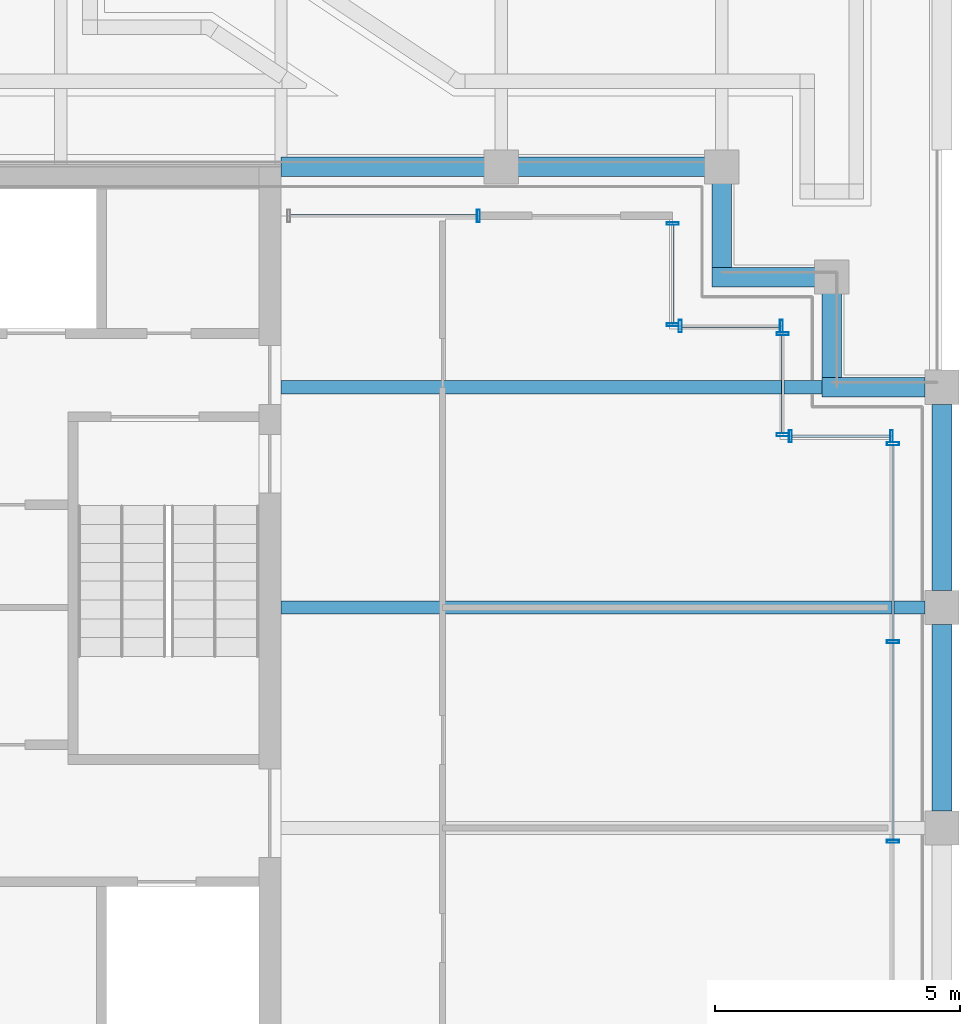
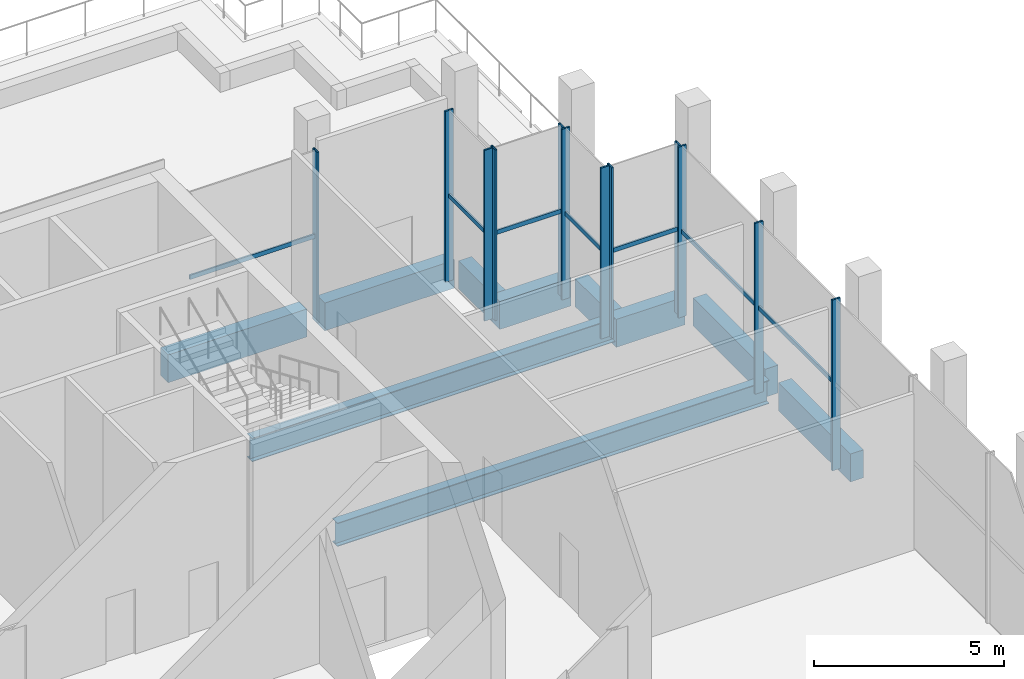
# One storey, part 9 of 15: 19 members, 10 beams, 6 elements without a shape of their own.
"""IFC4 building model written with IfcOpenShell, lengths in metres."""

from ifc_helpers import new_model, si_unit, direction, frame, origin, origin_2d, place, context, subcontext, project, spatial, rectangle, hollow_rectangle, i_section, extrude, material, material_profile, profile_set, type_object, element, aggregate, save


model = new_model("IFC4")

# Units and contexts
model_context = context("Model", 3, precision=1e-05, world=origin(), true_north=direction((0.0, 1.0)))
body_context = subcontext(model_context, "Body", "Model", "MODEL_VIEW")
ifc_project = project(units=[si_unit("LENGTHUNIT", "METRE"), si_unit("AREAUNIT", "SQUARE_METRE"), si_unit("VOLUMEUNIT", "CUBIC_METRE"), si_unit("PLANEANGLEUNIT", "RADIAN"), si_unit("MASSUNIT", "GRAM", prefix="KILO")], contexts=[model_context])

# Site, building, storey
site_placement = place(None, origin())
site = spatial("IfcSite", under=ifc_project, at=site_placement, CompositionType="ELEMENT")
building_placement = place(site_placement, origin())
building = spatial("IfcBuilding", under=site, at=building_placement, Name="Altepetl Exchange Towers", CompositionType="ELEMENT")
storey_placement = place(building_placement, frame((0.0, 0.0, 263.60009765625)))
storey = spatial("IfcBuildingStorey", under=building, at=storey_placement, Name="L67 Observation deck", CompositionType="ELEMENT", Elevation=263.60009765625)

# Beams
ifc_material_1 = material(Name="Steel S355", Category="steel")
ifc_material_profile_1 = material_profile(ifc_material_1, i_section(OverallWidth=0.26611328125, OverallDepth=0.758056640625, WebThickness=0.013916015625, FlangeThickness=0.019287109375, at=origin_2d()), Name="W30X108")
ifc_profile_set_1 = profile_set([ifc_material_profile_1], Name="Steel S355")
beam_type_1 = type_object("IfcBeamType", Name="Floor beam W30X108", PredefinedType="BEAM", material=ifc_profile_set_1)
beam_1_placement = place(storey_placement, frame((58.5, 49.5, -0.55419921875), z_axis=(1.0, 0.0, 0.0), x_axis=(0.0, 1.0, 0.0)))
element("IfcBeam", 1, at=beam_1_placement, inside=storey, type_object=beam_type_1, Name="bm:A:L67:004", PredefinedType="BEAM", context=body_context, shape_type="SweptSolid", body=[
    extrude(i_section(OverallWidth=0.26611328125, OverallDepth=0.758056640625, WebThickness=0.013916015625, FlangeThickness=0.019287109375, at=origin_2d()), origin(), (0.0, 0.0, 1.0), 13.14990234375),
])
beam_2_placement = place(storey_placement, frame((58.5, 54.0, -0.55419921875), z_axis=(1.0, 0.0, 0.0), x_axis=(0.0, 1.0, 0.0)))
element("IfcBeam", 2, at=beam_2_placement, inside=storey, type_object=beam_type_1, Name="bm:A:L67:005", PredefinedType="BEAM", context=body_context, shape_type="SweptSolid", body=[
    extrude(i_section(OverallWidth=0.26611328125, OverallDepth=0.758056640625, WebThickness=0.013916015625, FlangeThickness=0.019287109375, at=origin_2d()), origin(), (0.0, 0.0, 1.0), 11.050048828125),
])

# Curtain wall, members
ifc_material_2 = material(Name="Aluminium 6063-T6 glazing", Category="aluminium")
curtain_wall_type = type_object("IfcCurtainWallType", Name="Executive flush glazing system", PredefinedType="NOTDEFINED", material=ifc_material_2)
curtain_wall_1_placement = place(storey_placement, origin())
curtain_wall_1 = element("IfcCurtainWall", 3, at=curtain_wall_1_placement, inside=storey, type_object=curtain_wall_type, Name="CW4 run", PredefinedType="NOTDEFINED")
ifc_material_3 = material(Name="Aluminium 6063-T6", Category="aluminium")
ifc_material_profile_2 = material_profile(ifc_material_3, hollow_rectangle(XDim=0.06005859375, YDim=0.25, WallThickness=0.0029296875, at=origin_2d()), Name="Mullion 60x250 hollow aluminium")
ifc_profile_set_2 = profile_set([ifc_material_profile_2], Name="Aluminium 6063-T6")
member_type_1 = type_object("IfcMemberType", Name="Mullion 60x250 hollow aluminium", PredefinedType="MULLION", material=ifc_profile_set_2)
member_1_placement = place(storey_placement, frame((71.0, 44.72509765625, 0.0), z_axis=(0.0, 0.0, 1.0), x_axis=(0.0, 1.0, 0.0)))
member_1 = element("IfcMember", 4, at=member_1_placement, type_object=member_type_1, Name="MU3 mullion", PredefinedType="MULLION", context=body_context, shape_type="SweptSolid", body=[
    extrude(hollow_rectangle(XDim=0.06005859375, YDim=0.25, WallThickness=0.0029296875, at=origin_2d()), origin(), (0.0, 0.0, 1.0), 5.5),
])
member_2_placement = place(storey_placement, frame((71.0, 48.800048828125, 0.0), z_axis=(0.0, 0.0, 1.0), x_axis=(0.0, 1.0, 0.0)))
member_2 = element("IfcMember", 5, at=member_2_placement, type_object=member_type_1, Name="MU3 mullion", PredefinedType="MULLION", context=body_context, shape_type="SweptSolid", body=[
    extrude(hollow_rectangle(XDim=0.06005859375, YDim=0.25, WallThickness=0.0029296875, at=origin_2d()), origin(), (0.0, 0.0, 1.0), 5.5),
])
member_3_placement = place(storey_placement, frame((71.0, 52.844970703125, 0.0), z_axis=(0.0, 0.0, 1.0), x_axis=(0.0, 1.0, 0.0)))
member_3 = element("IfcMember", 6, at=member_3_placement, type_object=member_type_1, Name="MU3 mullion", PredefinedType="MULLION", context=body_context, shape_type="SweptSolid", body=[
    extrude(hollow_rectangle(XDim=0.06005859375, YDim=0.25, WallThickness=0.0029296875, at=origin_2d()), origin(), (0.0, 0.0, 1.0), 5.5),
])

curtain_wall_2_placement = place(storey_placement, origin())
curtain_wall_2 = element("IfcCurtainWall", 7, at=curtain_wall_2_placement, inside=storey, type_object=curtain_wall_type, Name="CW4 run", PredefinedType="NOTDEFINED")
member_4_placement = place(storey_placement, frame((70.969970703125, 53.0, 0.0), z_axis=(0.0, 0.0, 1.0), x_axis=(-1.0, 0.0, 0.0)))
member_4 = element("IfcMember", 8, at=member_4_placement, type_object=member_type_1, Name="MU3 mullion", PredefinedType="MULLION", context=body_context, shape_type="SweptSolid", body=[
    extrude(hollow_rectangle(XDim=0.06005859375, YDim=0.25, WallThickness=0.0029296875, at=origin_2d()), origin(), (0.0, 0.0, 1.0), 5.5),
])
member_5_placement = place(storey_placement, frame((68.905029296875, 53.0, 0.0), z_axis=(0.0, 0.0, 1.0), x_axis=(-1.0, 0.0, 0.0)))
member_5 = element("IfcMember", 9, at=member_5_placement, type_object=member_type_1, Name="MU3 mullion", PredefinedType="MULLION", context=body_context, shape_type="SweptSolid", body=[
    extrude(hollow_rectangle(XDim=0.06005859375, YDim=0.25, WallThickness=0.0029296875, at=origin_2d()), origin(), (0.0, 0.0, 1.0), 5.5),
])

curtain_wall_3_placement = place(storey_placement, origin())
curtain_wall_3 = element("IfcCurtainWall", 10, at=curtain_wall_3_placement, inside=storey, type_object=curtain_wall_type, Name="CW4 run", PredefinedType="NOTDEFINED")
member_6_placement = place(storey_placement, frame((68.75, 53.030029296875, 0.0), z_axis=(0.0, 0.0, 1.0), x_axis=(0.0, 1.0, 0.0)))
member_6 = element("IfcMember", 11, at=member_6_placement, type_object=member_type_1, Name="MU3 mullion", PredefinedType="MULLION", context=body_context, shape_type="SweptSolid", body=[
    extrude(hollow_rectangle(XDim=0.06005859375, YDim=0.25, WallThickness=0.0029296875, at=origin_2d()), origin(), (0.0, 0.0, 1.0), 5.5),
])
member_7_placement = place(storey_placement, frame((68.75, 55.094970703125, 0.0), z_axis=(0.0, 0.0, 1.0), x_axis=(0.0, 1.0, 0.0)))
member_7 = element("IfcMember", 12, at=member_7_placement, type_object=member_type_1, Name="MU3 mullion", PredefinedType="MULLION", context=body_context, shape_type="SweptSolid", body=[
    extrude(hollow_rectangle(XDim=0.06005859375, YDim=0.25, WallThickness=0.0029296875, at=origin_2d()), origin(), (0.0, 0.0, 1.0), 5.5),
])

curtain_wall_4_placement = place(storey_placement, origin())
curtain_wall_4 = element("IfcCurtainWall", 13, at=curtain_wall_4_placement, inside=storey, type_object=curtain_wall_type, Name="CW4 run", PredefinedType="NOTDEFINED")
member_8_placement = place(storey_placement, frame((68.719970703125, 55.25, 0.0), z_axis=(0.0, 0.0, 1.0), x_axis=(-1.0, 0.0, 0.0)))
member_8 = element("IfcMember", 14, at=member_8_placement, type_object=member_type_1, Name="MU3 mullion", PredefinedType="MULLION", context=body_context, shape_type="SweptSolid", body=[
    extrude(hollow_rectangle(XDim=0.06005859375, YDim=0.25, WallThickness=0.0029296875, at=origin_2d()), origin(), (0.0, 0.0, 1.0), 5.5),
])
member_9_placement = place(storey_placement, frame((66.655029296875, 55.25, 0.0), z_axis=(0.0, 0.0, 1.0), x_axis=(-1.0, 0.0, 0.0)))
member_9 = element("IfcMember", 15, at=member_9_placement, type_object=member_type_1, Name="MU3 mullion", PredefinedType="MULLION", context=body_context, shape_type="SweptSolid", body=[
    extrude(hollow_rectangle(XDim=0.06005859375, YDim=0.25, WallThickness=0.0029296875, at=origin_2d()), origin(), (0.0, 0.0, 1.0), 5.5),
])

curtain_wall_5_placement = place(storey_placement, origin())
curtain_wall_5 = element("IfcCurtainWall", 16, at=curtain_wall_5_placement, inside=storey, type_object=curtain_wall_type, Name="CW4 run", PredefinedType="NOTDEFINED")
member_10_placement = place(storey_placement, frame((66.5, 55.280029296875, 0.0), z_axis=(0.0, 0.0, 1.0), x_axis=(0.0, 1.0, 0.0)))
member_10 = element("IfcMember", 17, at=member_10_placement, type_object=member_type_1, Name="MU3 mullion", PredefinedType="MULLION", context=body_context, shape_type="SweptSolid", body=[
    extrude(hollow_rectangle(XDim=0.06005859375, YDim=0.25, WallThickness=0.0029296875, at=origin_2d()), origin(), (0.0, 0.0, 1.0), 5.5),
])
member_11_placement = place(storey_placement, frame((66.5, 57.344970703125, 0.0), z_axis=(0.0, 0.0, 1.0), x_axis=(0.0, 1.0, 0.0)))
member_11 = element("IfcMember", 18, at=member_11_placement, type_object=member_type_1, Name="MU3 mullion", PredefinedType="MULLION", context=body_context, shape_type="SweptSolid", body=[
    extrude(hollow_rectangle(XDim=0.06005859375, YDim=0.25, WallThickness=0.0029296875, at=origin_2d()), origin(), (0.0, 0.0, 1.0), 5.5),
])

# Curtain wall, member
curtain_wall_6_placement = place(storey_placement, origin())
curtain_wall_6 = element("IfcCurtainWall", 19, at=curtain_wall_6_placement, inside=storey, type_object=curtain_wall_type, Name="CW4 run", PredefinedType="NOTDEFINED")
member_12_placement = place(storey_placement, frame((62.532470703125, 57.5, 0.0), z_axis=(0.0, 0.0, 1.0), x_axis=(-1.0, 0.0, 0.0)))
member_12 = element("IfcMember", 20, at=member_12_placement, type_object=member_type_1, Name="MU3 mullion", PredefinedType="MULLION", context=body_context, shape_type="SweptSolid", body=[
    extrude(hollow_rectangle(XDim=0.06005859375, YDim=0.25, WallThickness=0.0029296875, at=origin_2d()), origin(), (0.0, 0.0, 1.0), 5.5),
])

# Beams
ifc_material_4 = material(Name="Concrete C50/60 precast with cantera amarilla facing", Category="concrete")
ifc_material_profile_3 = material_profile(ifc_material_4, rectangle(XDim=0.39990234375, YDim=0.89990234375, at=origin_2d()), Name="400 x 900")
ifc_profile_set_3 = profile_set([ifc_material_profile_3], Name="Concrete C50/60 precast with cantera amarilla facing")
beam_type_2 = type_object("IfcBeamType", Name="Spandrel beam 400x900 cantera amarilla", PredefinedType="SPANDREL", material=ifc_profile_set_3)
for number, where, z_axis, x_axis, name in (
    (21, (72.0, 45.35009765625, -0.625), (0.0, 1.0, 0.0), (-1.0, 0.0, 0.0), "sp:A:L67:015"),
    (22, (72.0, 49.85009765625, -0.625), (0.0, 1.0, 0.0), (-1.0, 0.0, 0.0), "sp:A:L67:016"),
):
    element("IfcBeam", number, at=place(storey_placement, frame(where, z_axis=z_axis, x_axis=x_axis)), inside=storey, type_object=beam_type_2, Name=name, PredefinedType="SPANDREL", context=body_context, shape_type="SweptSolid", body=[
        extrude(rectangle(XDim=0.39990234375, YDim=0.89990234375, at=origin_2d()), origin(), (0.0, 0.0, 1.0), 3.7998046875),
    ])
beam_3_placement = place(storey_placement, frame((71.64990234375, 54.0, -0.625), z_axis=(-1.0, 0.0, 0.0), x_axis=(0.0, -1.0, 0.0)))
element("IfcBeam", 23, at=beam_3_placement, inside=storey, type_object=beam_type_2, Name="sp:A:L67:017", PredefinedType="SPANDREL", context=body_context, shape_type="SweptSolid", body=[
    extrude(rectangle(XDim=0.39990234375, YDim=0.89990234375, at=origin_2d()), origin(), (0.0, 0.0, 1.0), 2.099853515625),
])
beam_4_placement = place(storey_placement, frame((69.75, 54.199951171875, -0.625), z_axis=(0.0, 1.0, 0.0), x_axis=(-1.0, 0.0, 0.0)))
element("IfcBeam", 24, at=beam_4_placement, inside=storey, type_object=beam_type_2, Name="sp:A:L67:018", PredefinedType="SPANDREL", context=body_context, shape_type="SweptSolid", body=[
    extrude(rectangle(XDim=0.39990234375, YDim=0.89990234375, at=origin_2d()), origin(), (0.0, 0.0, 1.0), 1.775146484375),
])
beam_5_placement = place(storey_placement, frame((69.47509765625, 56.25, -0.625), z_axis=(-1.0, 0.0, 0.0), x_axis=(0.0, -1.0, 0.0)))
element("IfcBeam", 25, at=beam_5_placement, inside=storey, type_object=beam_type_2, Name="sp:A:L67:019", PredefinedType="SPANDREL", context=body_context, shape_type="SweptSolid", body=[
    extrude(rectangle(XDim=0.39990234375, YDim=0.89990234375, at=origin_2d()), origin(), (0.0, 0.0, 1.0), 2.175048828125),
])
beam_6_placement = place(storey_placement, frame((67.5, 56.449951171875, -0.625), z_axis=(0.0, 1.0, 0.0), x_axis=(-1.0, 0.0, 0.0)))
element("IfcBeam", 26, at=beam_6_placement, inside=storey, type_object=beam_type_2, Name="sp:A:L67:020", PredefinedType="SPANDREL", context=body_context, shape_type="SweptSolid", body=[
    extrude(rectangle(XDim=0.39990234375, YDim=0.89990234375, at=origin_2d()), origin(), (0.0, 0.0, 1.0), 1.775146484375),
])
ifc_material_5 = material(Name="Concrete C50/60 precast with cantera rosa facing", Category="concrete")
ifc_material_profile_4 = material_profile(ifc_material_5, rectangle(XDim=0.39990234375, YDim=0.89990234375, at=origin_2d()), Name="400 x 900")
ifc_profile_set_4 = profile_set([ifc_material_profile_4], Name="Concrete C50/60 precast with cantera rosa facing")
beam_type_3 = type_object("IfcBeamType", Name="Spandrel beam 400x900 cantera rosa", PredefinedType="SPANDREL", material=ifc_profile_set_4)
beam_7_placement = place(storey_placement, frame((67.22509765625, 58.5, -0.625), z_axis=(-1.0, 0.0, 0.0), x_axis=(0.0, -1.0, 0.0)))
element("IfcBeam", 27, at=beam_7_placement, inside=storey, type_object=beam_type_3, Name="sp:A:L67:021", PredefinedType="SPANDREL", context=body_context, shape_type="SweptSolid", body=[
    extrude(rectangle(XDim=0.39990234375, YDim=0.89990234375, at=origin_2d()), origin(), (0.0, 0.0, 1.0), 3.9501953125),
])
beam_8_placement = place(storey_placement, frame((62.72509765625, 58.5, -0.625), z_axis=(-1.0, 0.0, 0.0), x_axis=(0.0, -1.0, 0.0)))
element("IfcBeam", 28, at=beam_8_placement, inside=storey, type_object=beam_type_3, Name="sp:A:L67:022", PredefinedType="SPANDREL", context=body_context, shape_type="SweptSolid", body=[
    extrude(rectangle(XDim=0.39990234375, YDim=0.89990234375, at=origin_2d()), origin(), (0.0, 0.0, 1.0), 4.22509765625),
])

# Member
ifc_material_profile_5 = material_profile(ifc_material_3, hollow_rectangle(XDim=0.050048828125, YDim=0.139892578125, WallThickness=0.0029296875, at=origin_2d()), Name="Transom 50x140 hollow aluminium")
ifc_profile_set_5 = profile_set([ifc_material_profile_5], Name="Aluminium 6063-T6")
member_type_2 = type_object("IfcMemberType", Name="Transom 50x140 hollow aluminium", PredefinedType="USERDEFINED", material=ifc_profile_set_5)
member_13_placement = place(storey_placement, frame((71.0, 44.7548828125, 2.75), z_axis=(0.0, 1.0, 0.0), x_axis=(-1.0, 0.0, 0.0)))
member_13 = element("IfcMember", 29, at=member_13_placement, type_object=member_type_2, Name="TR2 transom", ObjectType="TRANSOM", PredefinedType="USERDEFINED", context=body_context, shape_type="SweptSolid", body=[
    extrude(hollow_rectangle(XDim=0.050048828125, YDim=0.139892578125, WallThickness=0.0029296875, at=origin_2d()), origin(), (0.0, 0.0, 1.0), 4.01513671875),
])

member_14_placement = place(storey_placement, frame((71.0, 48.830078125, 2.75), z_axis=(0.0, 1.0, 0.0), x_axis=(-1.0, 0.0, 0.0)))
member_14 = element("IfcMember", 30, at=member_14_placement, type_object=member_type_2, Name="TR2 transom", ObjectType="TRANSOM", PredefinedType="USERDEFINED", context=body_context, shape_type="SweptSolid", body=[
    extrude(hollow_rectangle(XDim=0.050048828125, YDim=0.139892578125, WallThickness=0.0029296875, at=origin_2d()), origin(), (0.0, 0.0, 1.0), 3.98486328125),
])

aggregate(curtain_wall_1, [member_1, member_2, member_3, member_13, member_14])

member_15_placement = place(storey_placement, frame((70.93994140625, 53.0, 2.75), z_axis=(-1.0, 0.0, 0.0), x_axis=(0.0, -1.0, 0.0)))
member_15 = element("IfcMember", 31, at=member_15_placement, type_object=member_type_2, Name="TR2 transom", ObjectType="TRANSOM", PredefinedType="USERDEFINED", context=body_context, shape_type="SweptSolid", body=[
    extrude(hollow_rectangle(XDim=0.050048828125, YDim=0.139892578125, WallThickness=0.0029296875, at=origin_2d()), origin(), (0.0, 0.0, 1.0), 2.0048828125),
])

aggregate(curtain_wall_2, [member_4, member_5, member_15])

member_16_placement = place(storey_placement, frame((68.75, 53.06005859375, 2.75), z_axis=(0.0, 1.0, 0.0), x_axis=(-1.0, 0.0, 0.0)))
member_16 = element("IfcMember", 32, at=member_16_placement, type_object=member_type_2, Name="TR2 transom", ObjectType="TRANSOM", PredefinedType="USERDEFINED", context=body_context, shape_type="SweptSolid", body=[
    extrude(hollow_rectangle(XDim=0.050048828125, YDim=0.139892578125, WallThickness=0.0029296875, at=origin_2d()), origin(), (0.0, 0.0, 1.0), 2.0048828125),
])

aggregate(curtain_wall_3, [member_6, member_7, member_16])

member_17_placement = place(storey_placement, frame((68.68994140625, 55.25, 2.75), z_axis=(-1.0, 0.0, 0.0), x_axis=(0.0, -1.0, 0.0)))
member_17 = element("IfcMember", 33, at=member_17_placement, type_object=member_type_2, Name="TR2 transom", ObjectType="TRANSOM", PredefinedType="USERDEFINED", context=body_context, shape_type="SweptSolid", body=[
    extrude(hollow_rectangle(XDim=0.050048828125, YDim=0.139892578125, WallThickness=0.0029296875, at=origin_2d()), origin(), (0.0, 0.0, 1.0), 2.0048828125),
])

aggregate(curtain_wall_4, [member_8, member_9, member_17])

member_18_placement = place(storey_placement, frame((66.5, 55.31005859375, 2.75), z_axis=(0.0, 1.0, 0.0), x_axis=(-1.0, 0.0, 0.0)))
member_18 = element("IfcMember", 34, at=member_18_placement, type_object=member_type_2, Name="TR2 transom", ObjectType="TRANSOM", PredefinedType="USERDEFINED", context=body_context, shape_type="SweptSolid", body=[
    extrude(hollow_rectangle(XDim=0.050048828125, YDim=0.139892578125, WallThickness=0.0029296875, at=origin_2d()), origin(), (0.0, 0.0, 1.0), 2.0048828125),
])

aggregate(curtain_wall_5, [member_10, member_11, member_18])

member_19_placement = place(storey_placement, frame((62.50244140625, 57.5, 2.75), z_axis=(-1.0, 0.0, 0.0), x_axis=(0.0, -1.0, 0.0)))
member_19 = element("IfcMember", 35, at=member_19_placement, type_object=member_type_2, Name="TR2 transom", ObjectType="TRANSOM", PredefinedType="USERDEFINED", context=body_context, shape_type="SweptSolid", body=[
    extrude(hollow_rectangle(XDim=0.050048828125, YDim=0.139892578125, WallThickness=0.0029296875, at=origin_2d()), origin(), (0.0, 0.0, 1.0), 3.8173828125),
])

aggregate(curtain_wall_6, [member_12, member_19])

save(model, "model.ifc")
